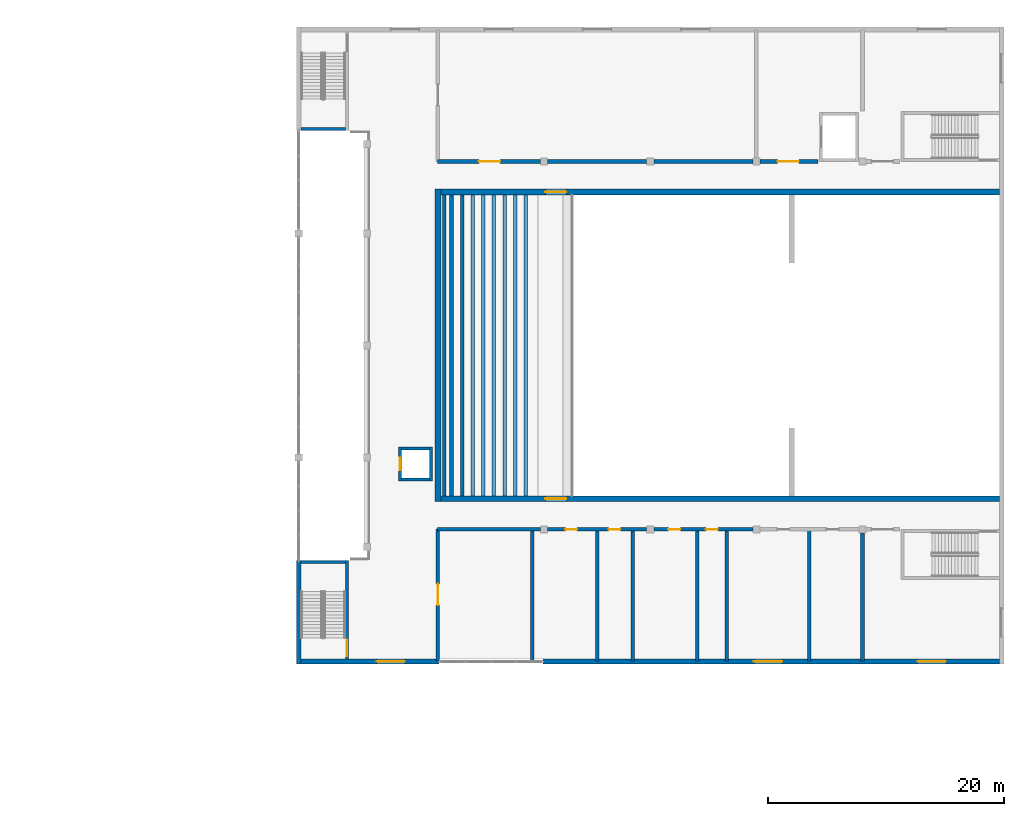
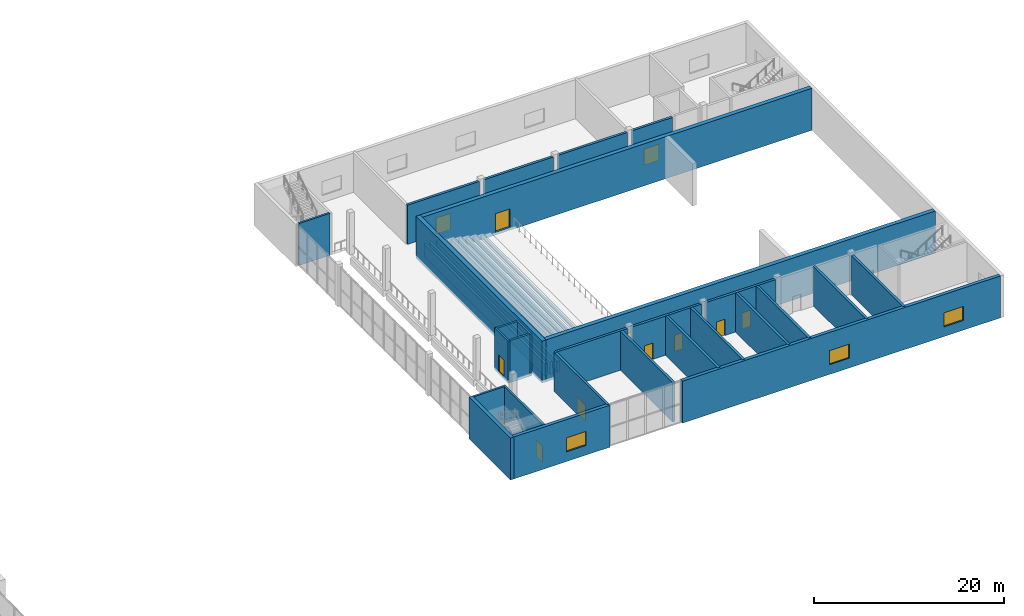
# One storey, part 22 of 43: 37 walls, 11 doors, 3 windows, 14 openings.
"""IFC4 building model written with IfcOpenShell, lengths in metres."""

from ifc_helpers import new_model, si_unit, direction, frame, frame_2d, origin, place, context, subcontext, project, spatial, rectangle, extrude, material, layer, layer_set, type_object, element, fill, save


model = new_model("IFC4")

# Units and contexts
model_context = context("Model", 3, precision=1e-05, world=origin(), true_north=direction((0.0, 1.0)))
body_context = subcontext(model_context, "Body", "Model", "MODEL_VIEW")
ifc_project = project(units=[si_unit("LENGTHUNIT", "METRE"), si_unit("AREAUNIT", "SQUARE_METRE"), si_unit("VOLUMEUNIT", "CUBIC_METRE"), si_unit("PLANEANGLEUNIT", "RADIAN"), si_unit("MASSUNIT", "GRAM", prefix="KILO")], contexts=[model_context])

# Site, building, storey
site_placement = place(None, origin())
site = spatial("IfcSite", under=ifc_project, at=site_placement, CompositionType="ELEMENT")
building_placement = place(site_placement, origin())
building = spatial("IfcBuilding", under=site, at=building_placement, Name="Hunhe Ridgeline Campus", CompositionType="ELEMENT")
storey_placement = place(building_placement, frame((0.0, 0.0, 11.39990234375)))
storey = spatial("IfcBuildingStorey", under=building, at=storey_placement, Name="L02", CompositionType="ELEMENT", Elevation=11.39990234375)

# Wall
ifc_material_1 = material(Name="Concrete C50", Category="concrete")
ifc_layer_1 = layer(ifc_material_1, 0.5)
ifc_layer_set_1 = layer_set([ifc_layer_1], Name="Auditorium RC wall 500 C50")
wall_type_1 = type_object("IfcWallType", Name="Auditorium RC wall 500 C50", PredefinedType="SOLIDWALL", material=ifc_layer_set_1)
wall_1_placement = place(storey_placement, frame((162.0, 36.25, -0.349853515625), z_axis=(0.0, 0.0, 1.0), x_axis=(0.0, 1.0, 0.0)))
element("IfcWall", 1, at=wall_1_placement, inside=storey, type_object=wall_type_1, Name="Auditorium RC wall L02", PredefinedType="SOLIDWALL", context=body_context, shape_type="SweptSolid", body=[
    extrude(rectangle(XDim=26.5, YDim=0.5, at=frame_2d((13.25, 0.0))), origin(), (0.0, 0.0, 1.0), 5.39990234375),
])

# Wall, opening, door
wall_2_placement = place(storey_placement, frame((209.60009765625, 36.5, -0.349853515625), z_axis=(0.0, 0.0, 1.0), x_axis=(-1.0, 0.0, 0.0)))
wall_2 = element("IfcWall", 2, at=wall_2_placement, inside=storey, type_object=wall_type_1, Name="Auditorium RC wall L02", PredefinedType="SOLIDWALL", context=body_context, shape_type="SweptSolid", body=[
    extrude(rectangle(XDim=47.35009765625, YDim=0.5, at=frame_2d((23.675048828125, 0.0))), origin(), (0.0, 0.0, 1.0), 5.39990234375),
])
opening_1_placement = place(wall_2_placement, frame((36.699951171875, 0.0, 0.35009765625)))
opening_1 = element("IfcOpeningElement", 3, at=opening_1_placement, cuts=wall_2, Name="Opening HD79", PredefinedType="OPENING", context=body_context, shape_type="SweptSolid", body=[
    extrude(rectangle(XDim=1.800048828125, YDim=2.39990234375, at=frame_2d((0.89990234375, 1.199951171875))), frame((0.0, 0.25, 0.0), z_axis=(0.0, -1.0, 0.0), x_axis=(1.0, 0.0, 0.0)), (0.0, 0.0, 1.0), 0.5),
])
ifc_material_2 = material(Name="Timber and lead-lined core", Category="wood")
door_type_1 = type_object("IfcDoorType", Name="Auditorium acoustic double door 1800x2400", OperationType="DOUBLE_DOOR_SINGLE_SWING", PredefinedType="DOOR", material=ifc_material_2)
door_1_placement = place(opening_1_placement, origin())
door_1 = element("IfcDoor", 4, at=door_1_placement, inside=storey, type_object=door_type_1, Name="Circle 2 exit door", OperationType="DOUBLE_DOOR_SINGLE_SWING", OverallHeight=2.39990234375, OverallWidth=1.800048828125, PredefinedType="DOOR", context=body_context, shape_type="SweptSolid", body=[
    extrude(rectangle(XDim=1.800048828125, YDim=2.39990234375, at=frame_2d((0.89990234375, 1.199951171875))), frame((0.0, 0.02490234375, 0.0), z_axis=(0.0, -1.0, 0.0), x_axis=(1.0, 0.0, 0.0)), (0.0, 0.0, 1.0), 0.050048828125),
])
fill(opening_1, door_1)

wall_3_placement = place(storey_placement, frame((162.25, 62.5, -0.349853515625), z_axis=(0.0, 0.0, 1.0), x_axis=(1.0, 0.0, 0.0)))
wall_3 = element("IfcWall", 5, at=wall_3_placement, inside=storey, type_object=wall_type_1, Name="Auditorium RC wall L02", PredefinedType="SOLIDWALL", context=body_context, shape_type="SweptSolid", body=[
    extrude(rectangle(XDim=47.35009765625, YDim=0.5, at=frame_2d((23.675048828125, 0.0))), origin(), (0.0, 0.0, 1.0), 5.39990234375),
])
opening_2_placement = place(wall_3_placement, frame((8.85009765625, 0.0, 0.35009765625)))
opening_2 = element("IfcOpeningElement", 6, at=opening_2_placement, cuts=wall_3, Name="Opening HD80", PredefinedType="OPENING", context=body_context, shape_type="SweptSolid", body=[
    extrude(rectangle(XDim=1.800048828125, YDim=2.39990234375, at=frame_2d((0.89990234375, 1.199951171875))), frame((0.0, 0.25, 0.0), z_axis=(0.0, -1.0, 0.0), x_axis=(1.0, 0.0, 0.0)), (0.0, 0.0, 1.0), 0.5),
])
door_2_placement = place(opening_2_placement, origin())
door_2 = element("IfcDoor", 7, at=door_2_placement, inside=storey, type_object=door_type_1, Name="Circle 2 exit door", OperationType="DOUBLE_DOOR_SINGLE_SWING", OverallHeight=2.39990234375, OverallWidth=1.800048828125, PredefinedType="DOOR", context=body_context, shape_type="SweptSolid", body=[
    extrude(rectangle(XDim=1.800048828125, YDim=2.39990234375, at=frame_2d((0.89990234375, 1.199951171875))), frame((0.0, 0.02490234375, 0.0), z_axis=(0.0, -1.0, 0.0), x_axis=(1.0, 0.0, 0.0)), (0.0, 0.0, 1.0), 0.050048828125),
])
fill(opening_2, door_2)

ifc_material_3 = material(Name="Plastered blockwork", Category="masonry")
ifc_layer_2 = layer(ifc_material_3, 0.300048828125)
ifc_layer_set_2 = layer_set([ifc_layer_2], Name="Hall blockwork partition 300")
wall_type_2 = type_object("IfcWallType", Name="Hall blockwork partition 300", PredefinedType="PARTITIONING", material=ifc_layer_set_2)
wall_4_placement = place(storey_placement, frame((162.0, 22.72998046875, 0.0), z_axis=(0.0, 0.0, 1.0), x_axis=(0.0, 1.0, 0.0)))
wall_4 = element("IfcWall", 8, at=wall_4_placement, inside=storey, type_object=wall_type_2, Name="L02 partition", PredefinedType="PARTITIONING", context=body_context, shape_type="SweptSolid", body=[
    extrude(rectangle(XDim=11.18994140625, YDim=0.300048828125, at=frame_2d((5.594970703125, 0.0))), origin(), (0.0, 0.0, 1.0), 5.050048828125),
])
opening_3_placement = place(wall_4_placement, frame((4.75, 0.0, 0.0)))
opening_3 = element("IfcOpeningElement", 9, at=opening_3_placement, cuts=wall_4, Name="Opening HD33", PredefinedType="OPENING", context=body_context, shape_type="SweptSolid", body=[
    extrude(rectangle(XDim=1.800048828125, YDim=2.10009765625, at=frame_2d((0.89990234375, 1.050048828125))), frame((0.0, 0.14990234375, 0.0), z_axis=(0.0, -1.0, 0.0), x_axis=(1.0, 0.0, 0.0)), (0.0, 0.0, 1.0), 0.300048828125),
])
ifc_material_4 = material(Name="Timber", Category="wood")
door_type_2 = type_object("IfcDoorType", Name="Hall timber double door 1800x2100", OperationType="DOUBLE_DOOR_SINGLE_SWING", PredefinedType="DOOR", material=ifc_material_4)
door_3_placement = place(opening_3_placement, origin())
door_3 = element("IfcDoor", 10, at=door_3_placement, inside=storey, type_object=door_type_2, Name="Restaurant door", OperationType="DOUBLE_DOOR_SINGLE_SWING", OverallHeight=2.10009765625, OverallWidth=1.800048828125, PredefinedType="DOOR", context=body_context, shape_type="SweptSolid", body=[
    extrude(rectangle(XDim=1.800048828125, YDim=2.10009765625, at=frame_2d((0.89990234375, 1.050048828125))), frame((0.0, 0.02490234375, 0.0), z_axis=(0.0, -1.0, 0.0), x_axis=(1.0, 0.0, 0.0)), (0.0, 0.0, 1.0), 0.050048828125),
])
fill(opening_3, door_3)

# Walls
wall_5_placement = place(storey_placement, frame((170.0, 22.72998046875, 0.0), z_axis=(0.0, 0.0, 1.0), x_axis=(0.0, 1.0, 0.0)))
element("IfcWall", 11, at=wall_5_placement, inside=storey, type_object=wall_type_2, Name="L02 partition", PredefinedType="PARTITIONING", context=body_context, shape_type="SweptSolid", body=[
    extrude(rectangle(XDim=11.18994140625, YDim=0.300048828125, at=frame_2d((5.594970703125, 0.0))), origin(), (0.0, 0.0, 1.0), 5.050048828125),
])
wall_6_placement = place(storey_placement, frame((161.97998046875, 33.89990234375, 0.0), z_axis=(0.0, 0.0, 1.0), x_axis=(1.0, 0.0, 0.0)))
element("IfcWall", 12, at=wall_6_placement, inside=storey, type_object=wall_type_2, Name="L02 partition", PredefinedType="PARTITIONING", context=body_context, shape_type="SweptSolid", body=[
    extrude(rectangle(XDim=8.719970703125, YDim=0.300048828125, at=frame_2d((4.35986328125, 0.0))), origin(), (0.0, 0.0, 1.0), 5.050048828125),
])

# Wall, openings, doors
wall_7_placement = place(storey_placement, frame((171.300048828125, 33.89990234375, 0.0), z_axis=(0.0, 0.0, 1.0), x_axis=(1.0, 0.0, 0.0)))
wall_7 = element("IfcWall", 13, at=wall_7_placement, inside=storey, type_object=wall_type_2, Name="L02 partition", PredefinedType="PARTITIONING", context=body_context, shape_type="SweptSolid", body=[
    extrude(rectangle(XDim=8.39990234375, YDim=0.300048828125, at=frame_2d((4.199951171875, 0.0))), origin(), (0.0, 0.0, 1.0), 5.050048828125),
])
opening_4_placement = place(wall_7_placement, frame((1.5, 0.0, 0.0)))
opening_4 = element("IfcOpeningElement", 14, at=opening_4_placement, cuts=wall_7, Name="Opening HD34", PredefinedType="OPENING", context=body_context, shape_type="SweptSolid", body=[
    extrude(rectangle(XDim=1.0, YDim=2.10009765625, at=frame_2d((0.5, 1.050048828125))), frame((0.0, 0.14990234375, 0.0), z_axis=(0.0, -1.0, 0.0), x_axis=(1.0, 0.0, 0.0)), (0.0, 0.0, 1.0), 0.300048828125),
])
opening_5_placement = place(wall_7_placement, frame((5.179931640625, 0.0, 0.0)))
opening_5 = element("IfcOpeningElement", 15, at=opening_5_placement, cuts=wall_7, Name="Opening HD35", PredefinedType="OPENING", context=body_context, shape_type="SweptSolid", body=[
    extrude(rectangle(XDim=1.0, YDim=2.10009765625, at=frame_2d((0.5, 1.050048828125))), frame((0.0, 0.14990234375, 0.0), z_axis=(0.0, -1.0, 0.0), x_axis=(1.0, 0.0, 0.0)), (0.0, 0.0, 1.0), 0.300048828125),
])
door_type_3 = type_object("IfcDoorType", Name="Hall accessible WC door 1000x2100", OperationType="NOTDEFINED", PredefinedType="DOOR", material=ifc_material_4)
door_4_placement = place(opening_5_placement, origin())
door_4 = element("IfcDoor", 16, at=door_4_placement, inside=storey, type_object=door_type_3, Name="Accessible WC door", OperationType="SINGLE_SWING_RIGHT", OverallHeight=2.10009765625, OverallWidth=1.0, PredefinedType="DOOR", context=body_context, shape_type="SweptSolid", body=[
    extrude(rectangle(XDim=1.0, YDim=2.10009765625, at=frame_2d((0.5, 1.050048828125))), frame((0.0, 0.02490234375, 0.0), z_axis=(0.0, -1.0, 0.0), x_axis=(1.0, 0.0, 0.0)), (0.0, 0.0, 1.0), 0.050048828125),
])
fill(opening_5, door_4)
door_type_4 = type_object("IfcDoorType", Name="Hall timber door 1000x2100", OperationType="NOTDEFINED", PredefinedType="DOOR", material=ifc_material_4)
door_5_placement = place(opening_4_placement, origin())
door_5 = element("IfcDoor", 17, at=door_5_placement, inside=storey, type_object=door_type_4, Name="Women's WC door", OperationType="SINGLE_SWING_LEFT", OverallHeight=2.10009765625, OverallWidth=1.0, PredefinedType="DOOR", context=body_context, shape_type="SweptSolid", body=[
    extrude(rectangle(XDim=1.0, YDim=2.10009765625, at=frame_2d((0.5, 1.050048828125))), frame((0.0, 0.02490234375, 0.0), z_axis=(0.0, -1.0, 0.0), x_axis=(1.0, 0.0, 0.0)), (0.0, 0.0, 1.0), 0.050048828125),
])
fill(opening_4, door_5)

wall_8_placement = place(storey_placement, frame((180.300048828125, 33.89990234375, 0.0), z_axis=(0.0, 0.0, 1.0), x_axis=(1.0, 0.0, 0.0)))
wall_8 = element("IfcWall", 18, at=wall_8_placement, inside=storey, type_object=wall_type_2, Name="L02 partition", PredefinedType="PARTITIONING", context=body_context, shape_type="SweptSolid", body=[
    extrude(rectangle(XDim=8.39990234375, YDim=0.300048828125, at=frame_2d((4.199951171875, 0.0))), origin(), (0.0, 0.0, 1.0), 5.050048828125),
])
opening_6_placement = place(wall_8_placement, frame((1.25, 0.0, 0.0)))
opening_6 = element("IfcOpeningElement", 19, at=opening_6_placement, cuts=wall_8, Name="Opening HD36", PredefinedType="OPENING", context=body_context, shape_type="SweptSolid", body=[
    extrude(rectangle(XDim=1.0, YDim=2.10009765625, at=frame_2d((0.5, 1.050048828125))), frame((0.0, 0.14990234375, 0.0), z_axis=(0.0, -1.0, 0.0), x_axis=(1.0, 0.0, 0.0)), (0.0, 0.0, 1.0), 0.300048828125),
])
opening_7_placement = place(wall_8_placement, frame((4.429931640625, 0.0, 0.0)))
opening_7 = element("IfcOpeningElement", 20, at=opening_7_placement, cuts=wall_8, Name="Opening HD37", PredefinedType="OPENING", context=body_context, shape_type="SweptSolid", body=[
    extrude(rectangle(XDim=1.0, YDim=2.10009765625, at=frame_2d((0.5, 1.050048828125))), frame((0.0, 0.14990234375, 0.0), z_axis=(0.0, -1.0, 0.0), x_axis=(1.0, 0.0, 0.0)), (0.0, 0.0, 1.0), 0.300048828125),
])
door_6_placement = place(opening_6_placement, origin())
door_6 = element("IfcDoor", 21, at=door_6_placement, inside=storey, type_object=door_type_4, Name="Men's WC door", OperationType="SINGLE_SWING_LEFT", OverallHeight=2.10009765625, OverallWidth=1.0, PredefinedType="DOOR", context=body_context, shape_type="SweptSolid", body=[
    extrude(rectangle(XDim=1.0, YDim=2.10009765625, at=frame_2d((0.5, 1.050048828125))), frame((0.0, 0.02490234375, 0.0), z_axis=(0.0, -1.0, 0.0), x_axis=(1.0, 0.0, 0.0)), (0.0, 0.0, 1.0), 0.050048828125),
])
fill(opening_6, door_6)
door_7_placement = place(opening_7_placement, origin())
door_7 = element("IfcDoor", 22, at=door_7_placement, inside=storey, type_object=door_type_4, Name="Housekeeping store door", OperationType="SINGLE_SWING_RIGHT", OverallHeight=2.10009765625, OverallWidth=1.0, PredefinedType="DOOR", context=body_context, shape_type="SweptSolid", body=[
    extrude(rectangle(XDim=1.0, YDim=2.10009765625, at=frame_2d((0.5, 1.050048828125))), frame((0.0, 0.02490234375, 0.0), z_axis=(0.0, -1.0, 0.0), x_axis=(1.0, 0.0, 0.0)), (0.0, 0.0, 1.0), 0.050048828125),
])
fill(opening_7, door_7)

# Walls
for number, where, z_axis, x_axis, name in (
    (23, (175.5, 22.72998046875, 0.0), (0.0, 0.0, 1.0), (0.0, 1.0, 0.0), "L02 partition"),
    (24, (178.5, 22.72998046875, 0.0), (0.0, 0.0, 1.0), (0.0, 1.0, 0.0), "L02 partition"),
    (25, (184.0, 22.72998046875, 0.0), (0.0, 0.0, 1.0), (0.0, 1.0, 0.0), "L02 partition"),
    (26, (186.5, 22.72998046875, 0.0), (0.0, 0.0, 1.0), (0.0, 1.0, 0.0), "L02 partition"),
    (27, (193.5, 22.72998046875, 0.0), (0.0, 0.0, 1.0), (0.0, 1.0, 0.0), "L02 partition"),
):
    element("IfcWall", number, at=place(storey_placement, frame(where, z_axis=z_axis, x_axis=x_axis)), inside=storey, type_object=wall_type_2, Name=name, PredefinedType="PARTITIONING", context=body_context, shape_type="SweptSolid", body=[
        extrude(rectangle(XDim=11.18994140625, YDim=0.300048828125, at=frame_2d((5.594970703125, 0.0))), origin(), (0.0, 0.0, 1.0), 5.050048828125),
    ])
wall_9_placement = place(storey_placement, frame((198.0, 22.72998046875, 0.0), z_axis=(0.0, 0.0, 1.0), x_axis=(0.0, 1.0, 0.0)))
element("IfcWall", 28, at=wall_9_placement, inside=storey, type_object=wall_type_2, Name="L02 partition", PredefinedType="PARTITIONING", context=body_context, shape_type="SweptSolid", body=[
    extrude(rectangle(XDim=10.8701171875, YDim=0.300048828125, at=frame_2d((5.43505859375, 0.0))), origin(), (0.0, 0.0, 1.0), 5.050048828125),
])

# Wall, opening, door
wall_10_placement = place(storey_placement, frame((170.699951171875, 65.10009765625, 0.0), z_axis=(0.0, 0.0, 1.0), x_axis=(-1.0, 0.0, 0.0)))
wall_10 = element("IfcWall", 29, at=wall_10_placement, inside=storey, type_object=wall_type_2, Name="L02 partition", PredefinedType="PARTITIONING", context=body_context, shape_type="SweptSolid", body=[
    extrude(rectangle(XDim=8.719970703125, YDim=0.300048828125, at=frame_2d((4.35986328125, 0.0))), origin(), (0.0, 0.0, 1.0), 5.050048828125),
])
opening_8_placement = place(wall_10_placement, frame((3.419921875, 0.0, 0.0)))
opening_8 = element("IfcOpeningElement", 30, at=opening_8_placement, cuts=wall_10, Name="Opening HD42", PredefinedType="OPENING", context=body_context, shape_type="SweptSolid", body=[
    extrude(rectangle(XDim=1.800048828125, YDim=2.10009765625, at=frame_2d((0.89990234375, 1.050048828125))), frame((0.0, 0.14990234375, 0.0), z_axis=(0.0, -1.0, 0.0), x_axis=(1.0, 0.0, 0.0)), (0.0, 0.0, 1.0), 0.300048828125),
])
door_8_placement = place(opening_8_placement, origin())
door_8 = element("IfcDoor", 31, at=door_8_placement, inside=storey, type_object=door_type_2, Name="Rehearsal hall door", OperationType="DOUBLE_DOOR_SINGLE_SWING", OverallHeight=2.10009765625, OverallWidth=1.800048828125, PredefinedType="DOOR", context=body_context, shape_type="SweptSolid", body=[
    extrude(rectangle(XDim=1.800048828125, YDim=2.10009765625, at=frame_2d((0.89990234375, 1.050048828125))), frame((0.0, 0.02490234375, 0.0), z_axis=(0.0, -1.0, 0.0), x_axis=(1.0, 0.0, 0.0)), (0.0, 0.0, 1.0), 0.050048828125),
])
fill(opening_8, door_8)

# Walls
for number, where, z_axis, x_axis, name in (
    (32, (179.699951171875, 65.10009765625, 0.0), (0.0, 0.0, 1.0), (-1.0, 0.0, 0.0), "L02 partition"),
    (33, (188.699951171875, 65.10009765625, 0.0), (0.0, 0.0, 1.0), (-1.0, 0.0, 0.0), "L02 partition"),
):
    element("IfcWall", number, at=place(storey_placement, frame(where, z_axis=z_axis, x_axis=x_axis)), inside=storey, type_object=wall_type_2, Name=name, PredefinedType="PARTITIONING", context=body_context, shape_type="SweptSolid", body=[
        extrude(rectangle(XDim=8.39990234375, YDim=0.300048828125, at=frame_2d((4.199951171875, 0.0))), origin(), (0.0, 0.0, 1.0), 5.050048828125),
    ])

# Wall, opening, door
wall_11_placement = place(storey_placement, frame((194.219970703125, 65.10009765625, 0.0), z_axis=(0.0, 0.0, 1.0), x_axis=(-1.0, 0.0, 0.0)))
wall_11 = element("IfcWall", 34, at=wall_11_placement, inside=storey, type_object=wall_type_2, Name="L02 partition", PredefinedType="PARTITIONING", context=body_context, shape_type="SweptSolid", body=[
    extrude(rectangle(XDim=4.919921875, YDim=0.300048828125, at=frame_2d((2.4599609375, 0.0))), origin(), (0.0, 0.0, 1.0), 5.050048828125),
])
opening_9_placement = place(wall_11_placement, frame((1.6201171875, 0.0, 0.0)))
opening_9 = element("IfcOpeningElement", 35, at=opening_9_placement, cuts=wall_11, Name="Opening HD43", PredefinedType="OPENING", context=body_context, shape_type="SweptSolid", body=[
    extrude(rectangle(XDim=1.800048828125, YDim=2.10009765625, at=frame_2d((0.89990234375, 1.050048828125))), frame((0.0, 0.14990234375, 0.0), z_axis=(0.0, -1.0, 0.0), x_axis=(1.0, 0.0, 0.0)), (0.0, 0.0, 1.0), 0.300048828125),
])
door_9_placement = place(opening_9_placement, origin())
door_9 = element("IfcDoor", 36, at=door_9_placement, inside=storey, type_object=door_type_2, Name="Instrument store door", OperationType="DOUBLE_DOOR_SINGLE_SWING", OverallHeight=2.10009765625, OverallWidth=1.800048828125, PredefinedType="DOOR", context=body_context, shape_type="SweptSolid", body=[
    extrude(rectangle(XDim=1.800048828125, YDim=2.10009765625, at=frame_2d((0.89990234375, 1.050048828125))), frame((0.0, 0.02490234375, 0.0), z_axis=(0.0, -1.0, 0.0), x_axis=(1.0, 0.0, 0.0)), (0.0, 0.0, 1.0), 0.050048828125),
])
fill(opening_9, door_9)

# Wall
ifc_material_5 = material(Name="Concrete C40", Category="concrete")
ifc_layer_3 = layer(ifc_material_5, 0.39990234375)
ifc_layer_set_3 = layer_set([ifc_layer_3], Name="Hall external RC wall 400 C40")
wall_type_3 = type_object("IfcWallType", Name="Hall external RC wall 400 C40", PredefinedType="SOLIDWALL", material=ifc_layer_set_3)
wall_12_placement = place(storey_placement, frame((150.199951171875, 22.5, -0.349853515625), z_axis=(0.0, 0.0, 1.0), x_axis=(0.0, 1.0, 0.0)))
element("IfcWall", 37, at=wall_12_placement, inside=storey, type_object=wall_type_3, Name="Hall L02 west wall 1", PredefinedType="SOLIDWALL", context=body_context, shape_type="SweptSolid", body=[
    extrude(rectangle(XDim=8.75, YDim=0.39990234375, at=frame_2d((4.375, 0.0))), origin(), (0.0, 0.0, 1.0), 5.39990234375),
])

# Wall, openings, windows
wall_13_placement = place(storey_placement, frame((209.60009765625, 22.699951171875, -0.349853515625), z_axis=(0.0, 0.0, 1.0), x_axis=(-1.0, 0.0, 0.0)))
wall_13 = element("IfcWall", 38, at=wall_13_placement, inside=storey, type_object=wall_type_3, Name="Hall L02 south wall 1", PredefinedType="SOLIDWALL", context=body_context, shape_type="SweptSolid", body=[
    extrude(rectangle(XDim=38.7001953125, YDim=0.39990234375, at=frame_2d((19.35009765625, 0.0))), origin(), (0.0, 0.0, 1.0), 5.39990234375),
])
opening_10_placement = place(wall_13_placement, frame((18.39990234375, 0.0, 1.25)))
opening_10 = element("IfcOpeningElement", 39, at=opening_10_placement, cuts=wall_13, Name="Opening HWN27", PredefinedType="OPENING", context=body_context, shape_type="SweptSolid", body=[
    extrude(rectangle(XDim=2.39990234375, YDim=1.800048828125, at=frame_2d((1.199951171875, 0.89990234375))), frame((0.0, 0.199951171875, 0.0), z_axis=(0.0, -1.0, 0.0), x_axis=(1.0, 0.0, 0.0)), (0.0, 0.0, 1.0), 0.39990234375),
])
opening_11_placement = place(wall_13_placement, frame((4.52001953125, 0.0, 1.25)))
opening_11 = element("IfcOpeningElement", 40, at=opening_11_placement, cuts=wall_13, Name="Opening HWN28", PredefinedType="OPENING", context=body_context, shape_type="SweptSolid", body=[
    extrude(rectangle(XDim=2.39990234375, YDim=1.800048828125, at=frame_2d((1.199951171875, 0.89990234375))), frame((0.0, 0.199951171875, 0.0), z_axis=(0.0, -1.0, 0.0), x_axis=(1.0, 0.0, 0.0)), (0.0, 0.0, 1.0), 0.39990234375),
])
ifc_material_6 = material(Name="Aluminium and glass", Category="aluminium")
window_type = type_object("IfcWindowType", Name="Hall window 2400x1800", PartitioningType="SINGLE_PANEL", PredefinedType="WINDOW", material=ifc_material_6)
window_1_placement = place(opening_10_placement, origin())
window_1 = element("IfcWindow", 41, at=window_1_placement, inside=storey, type_object=window_type, Name="L02 window", OverallHeight=1.800048828125, OverallWidth=2.39990234375, PartitioningType="SINGLE_PANEL", PredefinedType="WINDOW", context=body_context, shape_type="SweptSolid", body=[
    extrude(rectangle(XDim=2.39990234375, YDim=1.800048828125, at=frame_2d((1.199951171875, 0.89990234375))), frame((0.0, 0.030029296875, 0.0), z_axis=(0.0, -1.0, 0.0), x_axis=(1.0, 0.0, 0.0)), (0.0, 0.0, 1.0), 0.06005859375),
])
fill(opening_10, window_1)
window_2_placement = place(opening_11_placement, origin())
window_2 = element("IfcWindow", 42, at=window_2_placement, inside=storey, type_object=window_type, Name="L02 window", OverallHeight=1.800048828125, OverallWidth=2.39990234375, PartitioningType="SINGLE_PANEL", PredefinedType="WINDOW", context=body_context, shape_type="SweptSolid", body=[
    extrude(rectangle(XDim=2.39990234375, YDim=1.800048828125, at=frame_2d((1.199951171875, 0.89990234375))), frame((0.0, 0.030029296875, 0.0), z_axis=(0.0, -1.0, 0.0), x_axis=(1.0, 0.0, 0.0)), (0.0, 0.0, 1.0), 0.06005859375),
])
fill(opening_11, window_2)

# Wall, opening, window
wall_14_placement = place(storey_placement, frame((162.10009765625, 22.699951171875, -0.349853515625), z_axis=(0.0, 0.0, 1.0), x_axis=(-1.0, 0.0, 0.0)))
wall_14 = element("IfcWall", 43, at=wall_14_placement, inside=storey, type_object=wall_type_3, Name="Hall L02 south wall 2", PredefinedType="SOLIDWALL", context=body_context, shape_type="SweptSolid", body=[
    extrude(rectangle(XDim=11.7001953125, YDim=0.39990234375, at=frame_2d((5.85009765625, 0.0))), origin(), (0.0, 0.0, 1.0), 5.39990234375),
])
opening_12_placement = place(wall_14_placement, frame((2.89990234375, 0.0, 1.25)))
opening_12 = element("IfcOpeningElement", 44, at=opening_12_placement, cuts=wall_14, Name="Opening HWN03", PredefinedType="OPENING", context=body_context, shape_type="SweptSolid", body=[
    extrude(rectangle(XDim=2.39990234375, YDim=1.800048828125, at=frame_2d((1.199951171875, 0.89990234375))), frame((0.0, 0.199951171875, 0.0), z_axis=(0.0, -1.0, 0.0), x_axis=(1.0, 0.0, 0.0)), (0.0, 0.0, 1.0), 0.39990234375),
])
window_3_placement = place(opening_12_placement, origin())
window_3 = element("IfcWindow", 45, at=window_3_placement, inside=storey, type_object=window_type, Name="L02 window", OverallHeight=1.800048828125, OverallWidth=2.39990234375, PartitioningType="SINGLE_PANEL", PredefinedType="WINDOW", context=body_context, shape_type="SweptSolid", body=[
    extrude(rectangle(XDim=2.39990234375, YDim=1.800048828125, at=frame_2d((1.199951171875, 0.89990234375))), frame((0.0, 0.030029296875, 0.0), z_axis=(0.0, -1.0, 0.0), x_axis=(1.0, 0.0, 0.0)), (0.0, 0.0, 1.0), 0.06005859375),
])
fill(opening_12, window_3)

# Wall, opening, door
ifc_layer_4 = layer(ifc_material_5, 0.25)
ifc_layer_set_4 = layer_set([ifc_layer_4], Name="Hall shaft wall 250 C40")
wall_type_4 = type_object("IfcWallType", Name="Hall shaft wall 250 C40", PredefinedType="SOLIDWALL", material=ifc_layer_set_4)
wall_15_placement = place(storey_placement, frame((154.27490234375, 31.25, -0.349853515625), z_axis=(0.0, 0.0, 1.0), x_axis=(0.0, -1.0, 0.0)))
wall_15 = element("IfcWall", 46, at=wall_15_placement, inside=storey, type_object=wall_type_4, Name="L02 stair HS1 shaft wall", PredefinedType="SOLIDWALL", context=body_context, shape_type="SweptSolid", body=[
    extrude(rectangle(XDim=8.35009765625, YDim=0.25, at=frame_2d((4.175048828125, 0.0))), origin(), (0.0, 0.0, 1.0), 5.39990234375),
])
opening_13_placement = place(wall_15_placement, frame((6.699951171875, 0.0, 0.35009765625)))
opening_13 = element("IfcOpeningElement", 47, at=opening_13_placement, cuts=wall_15, Name="Opening HD95", PredefinedType="OPENING", context=body_context, shape_type="SweptSolid", body=[
    extrude(rectangle(XDim=1.39990234375, YDim=2.10009765625, at=frame_2d((0.699951171875, 1.050048828125))), frame((0.0, 0.125, 0.0), z_axis=(0.0, -1.0, 0.0), x_axis=(1.0, 0.0, 0.0)), (0.0, 0.0, 1.0), 0.25),
])
ifc_material_7 = material(Name="Steel Q235", Category="steel")
door_type_5 = type_object("IfcDoorType", Name="Hall fire door 1400x2100 FD60", OperationType="NOTDEFINED", PredefinedType="DOOR", material=ifc_material_7)
door_10_placement = place(opening_13_placement, origin())
door_10 = element("IfcDoor", 48, at=door_10_placement, inside=storey, type_object=door_type_5, Name="L02 stair HS1 door", OperationType="SINGLE_SWING_LEFT", OverallHeight=2.10009765625, OverallWidth=1.39990234375, PredefinedType="DOOR", context=body_context, shape_type="SweptSolid", body=[
    extrude(rectangle(XDim=1.39990234375, YDim=2.10009765625, at=frame_2d((0.699951171875, 1.050048828125))), frame((0.0, 0.02490234375, 0.0), z_axis=(0.0, -1.0, 0.0), x_axis=(1.0, 0.0, 0.0)), (0.0, 0.0, 1.0), 0.050048828125),
])
fill(opening_13, door_10)

# Walls
for number, where, z_axis, x_axis, name in (
    (49, (150.39990234375, 31.125, -0.349853515625), (0.0, 0.0, 1.0), (1.0, 0.0, 0.0), "L02 stair HS1 shaft wall"),
    (50, (154.14990234375, 67.875, -0.349853515625), (0.0, 0.0, 1.0), (-1.0, 0.0, 0.0), "L02 stair HS2 shaft wall"),
):
    element("IfcWall", number, at=place(storey_placement, frame(where, z_axis=z_axis, x_axis=x_axis)), inside=storey, type_object=wall_type_4, Name=name, PredefinedType="SOLIDWALL", context=body_context, shape_type="SweptSolid", body=[
        extrude(rectangle(XDim=3.75, YDim=0.25, at=frame_2d((1.875, 0.0))), origin(), (0.0, 0.0, 1.0), 5.39990234375),
    ])

# Wall, opening, door
wall_16_placement = place(storey_placement, frame((158.77490234375, 38.0, -0.349853515625), z_axis=(0.0, 0.0, 1.0), x_axis=(0.0, 1.0, 0.0)))
wall_16 = element("IfcWall", 51, at=wall_16_placement, inside=storey, type_object=wall_type_4, Name="L02 lift HL1 shaft wall", PredefinedType="SOLIDWALL", context=body_context, shape_type="SweptSolid", body=[
    extrude(rectangle(XDim=2.89990234375, YDim=0.25, at=frame_2d((1.449951171875, 0.0))), origin(), (0.0, 0.0, 1.0), 5.39990234375),
])
opening_14_placement = place(wall_16_placement, frame((0.89990234375, 0.0, 0.35009765625)))
opening_14 = element("IfcOpeningElement", 52, at=opening_14_placement, cuts=wall_16, Name="Opening LD", PredefinedType="OPENING", context=body_context, shape_type="SweptSolid", body=[
    extrude(rectangle(XDim=1.10009765625, YDim=2.10009765625, at=frame_2d((0.550048828125, 1.050048828125))), frame((0.0, 0.125, 0.0), z_axis=(0.0, -1.0, 0.0), x_axis=(1.0, 0.0, 0.0)), (0.0, 0.0, 1.0), 0.25),
])
ifc_material_8 = material(Name="Stainless steel sliding leaves", Category="steel")
door_type_6 = type_object("IfcDoorType", Name="Hall lift landing door 1100x2100", OperationType="SLIDING_TO_LEFT", PredefinedType="DOOR", material=ifc_material_8)
door_11_placement = place(opening_14_placement, origin())
door_11 = element("IfcDoor", 53, at=door_11_placement, inside=storey, type_object=door_type_6, Name="L02 lift HL1 landing door", OperationType="SLIDING_TO_LEFT", OverallHeight=2.10009765625, OverallWidth=1.10009765625, PredefinedType="DOOR", context=body_context, shape_type="SweptSolid", body=[
    extrude(rectangle(XDim=1.10009765625, YDim=2.10009765625, at=frame_2d((0.550048828125, 1.050048828125))), frame((0.0, 0.02490234375, 0.0), z_axis=(0.0, -1.0, 0.0), x_axis=(1.0, 0.0, 0.0)), (0.0, 0.0, 1.0), 0.050048828125),
])
fill(opening_14, door_11)

# Walls
wall_17_placement = place(storey_placement, frame((161.425048828125, 40.89990234375, -0.349853515625), z_axis=(0.0, 0.0, 1.0), x_axis=(0.0, -1.0, 0.0)))
element("IfcWall", 54, at=wall_17_placement, inside=storey, type_object=wall_type_4, Name="L02 lift HL1 shaft wall", PredefinedType="SOLIDWALL", context=body_context, shape_type="SweptSolid", body=[
    extrude(rectangle(XDim=2.89990234375, YDim=0.25, at=frame_2d((1.449951171875, 0.0))), origin(), (0.0, 0.0, 1.0), 5.39990234375),
])
for number, where, z_axis, x_axis, name in (
    (55, (161.300048828125, 38.125, -0.349853515625), (0.0, 0.0, 1.0), (-1.0, 0.0, 0.0), "L02 lift HL1 shaft wall"),
    (56, (158.89990234375, 40.77490234375, -0.349853515625), (0.0, 0.0, 1.0), (1.0, 0.0, 0.0), "L02 lift HL1 shaft wall"),
):
    element("IfcWall", number, at=place(storey_placement, frame(where, z_axis=z_axis, x_axis=x_axis)), inside=storey, type_object=wall_type_4, Name=name, PredefinedType="SOLIDWALL", context=body_context, shape_type="SweptSolid", body=[
        extrude(rectangle(XDim=2.400146484375, YDim=0.25, at=frame_2d((1.2001953125, 0.0))), origin(), (0.0, 0.0, 1.0), 5.39990234375),
    ])
ifc_layer_5 = layer(ifc_material_5, 0.300048828125)
ifc_layer_set_5 = layer_set([ifc_layer_5], Name="Raked seating support wall 300 C40")
wall_type_5 = type_object("IfcWallType", Name="Raked seating support wall 300 C40", PredefinedType="SOLIDWALL", material=ifc_layer_set_5)
wall_18_placement = place(storey_placement, frame((169.449951171875, 36.75, 0.0), z_axis=(0.0, 0.0, 1.0), x_axis=(0.0, 1.0, 0.0)))
element("IfcWall", 57, at=wall_18_placement, inside=storey, type_object=wall_type_5, Name="Circle 2 seating step 2 support wall", PredefinedType="SOLIDWALL", context=body_context, shape_type="SweptSolid", body=[
    extrude(rectangle(XDim=25.5, YDim=0.300048828125, at=frame_2d((12.75, 0.0))), origin(), (0.0, 0.0, 1.0), 0.2001953125),
])
wall_19_placement = place(storey_placement, frame((168.550048828125, 36.75, 0.0), z_axis=(0.0, 0.0, 1.0), x_axis=(0.0, 1.0, 0.0)))
element("IfcWall", 58, at=wall_19_placement, inside=storey, type_object=wall_type_5, Name="Circle 2 seating step 3 support wall", PredefinedType="SOLIDWALL", context=body_context, shape_type="SweptSolid", body=[
    extrude(rectangle(XDim=25.5, YDim=0.300048828125, at=frame_2d((12.75, 0.0))), origin(), (0.0, 0.0, 1.0), 0.400146484375),
])
wall_20_placement = place(storey_placement, frame((167.64990234375, 36.75, 0.0), z_axis=(0.0, 0.0, 1.0), x_axis=(0.0, 1.0, 0.0)))
element("IfcWall", 59, at=wall_20_placement, inside=storey, type_object=wall_type_5, Name="Circle 2 seating step 4 support wall", PredefinedType="SOLIDWALL", context=body_context, shape_type="SweptSolid", body=[
    extrude(rectangle(XDim=25.5, YDim=0.300048828125, at=frame_2d((12.75, 0.0))), origin(), (0.0, 0.0, 1.0), 0.60009765625),
])
wall_21_placement = place(storey_placement, frame((166.75, 36.75, 0.0), z_axis=(0.0, 0.0, 1.0), x_axis=(0.0, 1.0, 0.0)))
element("IfcWall", 60, at=wall_21_placement, inside=storey, type_object=wall_type_5, Name="Circle 2 seating step 5 support wall", PredefinedType="SOLIDWALL", context=body_context, shape_type="SweptSolid", body=[
    extrude(rectangle(XDim=25.5, YDim=0.300048828125, at=frame_2d((12.75, 0.0))), origin(), (0.0, 0.0, 1.0), 0.800048828125),
])
wall_22_placement = place(storey_placement, frame((165.85009765625, 36.75, 0.0), z_axis=(0.0, 0.0, 1.0), x_axis=(0.0, 1.0, 0.0)))
element("IfcWall", 61, at=wall_22_placement, inside=storey, type_object=wall_type_5, Name="Circle 2 seating step 6 support wall", PredefinedType="SOLIDWALL", context=body_context, shape_type="SweptSolid", body=[
    extrude(rectangle(XDim=25.5, YDim=0.300048828125, at=frame_2d((12.75, 0.0))), origin(), (0.0, 0.0, 1.0), 1.0),
])
wall_23_placement = place(storey_placement, frame((164.949951171875, 36.75, 0.0), z_axis=(0.0, 0.0, 1.0), x_axis=(0.0, 1.0, 0.0)))
element("IfcWall", 62, at=wall_23_placement, inside=storey, type_object=wall_type_5, Name="Circle 2 seating step 7 support wall", PredefinedType="SOLIDWALL", context=body_context, shape_type="SweptSolid", body=[
    extrude(rectangle(XDim=25.5, YDim=0.300048828125, at=frame_2d((12.75, 0.0))), origin(), (0.0, 0.0, 1.0), 1.2001953125),
])
wall_24_placement = place(storey_placement, frame((164.050048828125, 36.75, 0.0), z_axis=(0.0, 0.0, 1.0), x_axis=(0.0, 1.0, 0.0)))
element("IfcWall", 63, at=wall_24_placement, inside=storey, type_object=wall_type_5, Name="Circle 2 seating step 8 support wall", PredefinedType="SOLIDWALL", context=body_context, shape_type="SweptSolid", body=[
    extrude(rectangle(XDim=25.5, YDim=0.300048828125, at=frame_2d((12.75, 0.0))), origin(), (0.0, 0.0, 1.0), 1.400146484375),
])
for number, where, z_axis, x_axis, name in (
    (64, (163.14990234375, 36.75, 0.0), (0.0, 0.0, 1.0), (0.0, 1.0, 0.0), "Circle 2 seating step 9 support wall"),
    (65, (162.550048828125, 36.75, 0.0), (0.0, 0.0, 1.0), (0.0, 1.0, 0.0), "Circle 2 seating step 9 support wall"),
):
    element("IfcWall", number, at=place(storey_placement, frame(where, z_axis=z_axis, x_axis=x_axis)), inside=storey, type_object=wall_type_5, Name=name, PredefinedType="SOLIDWALL", context=body_context, shape_type="SweptSolid", body=[
        extrude(rectangle(XDim=25.5, YDim=0.300048828125, at=frame_2d((12.75, 0.0))), origin(), (0.0, 0.0, 1.0), 1.60009765625),
    ])

save(model, "model.ifc")
